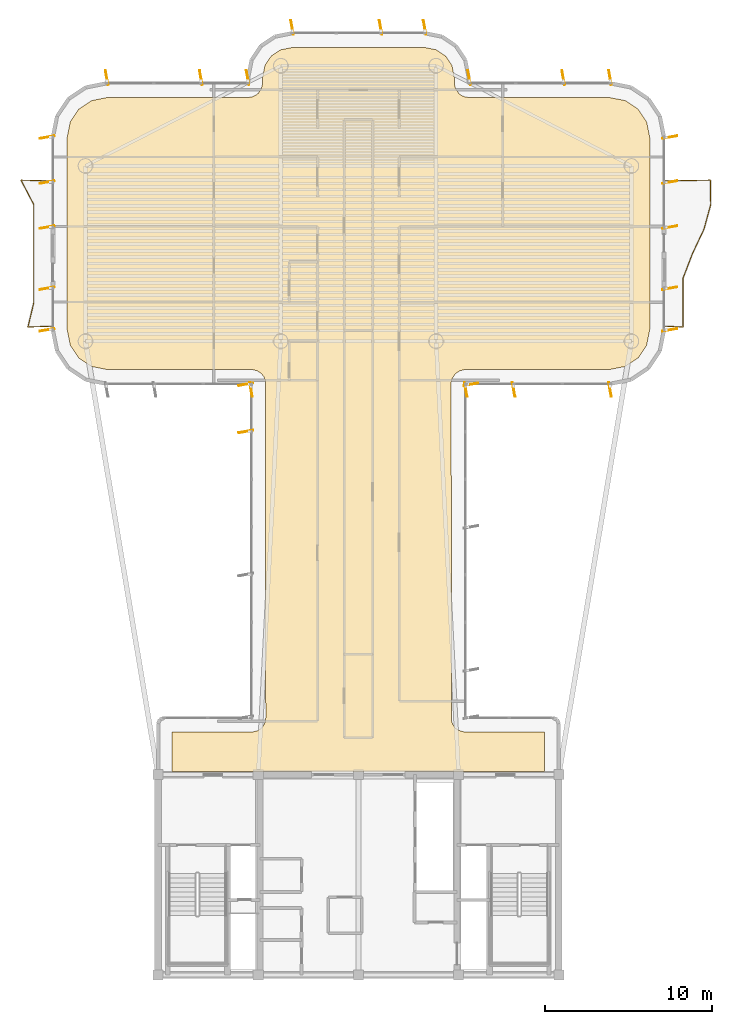
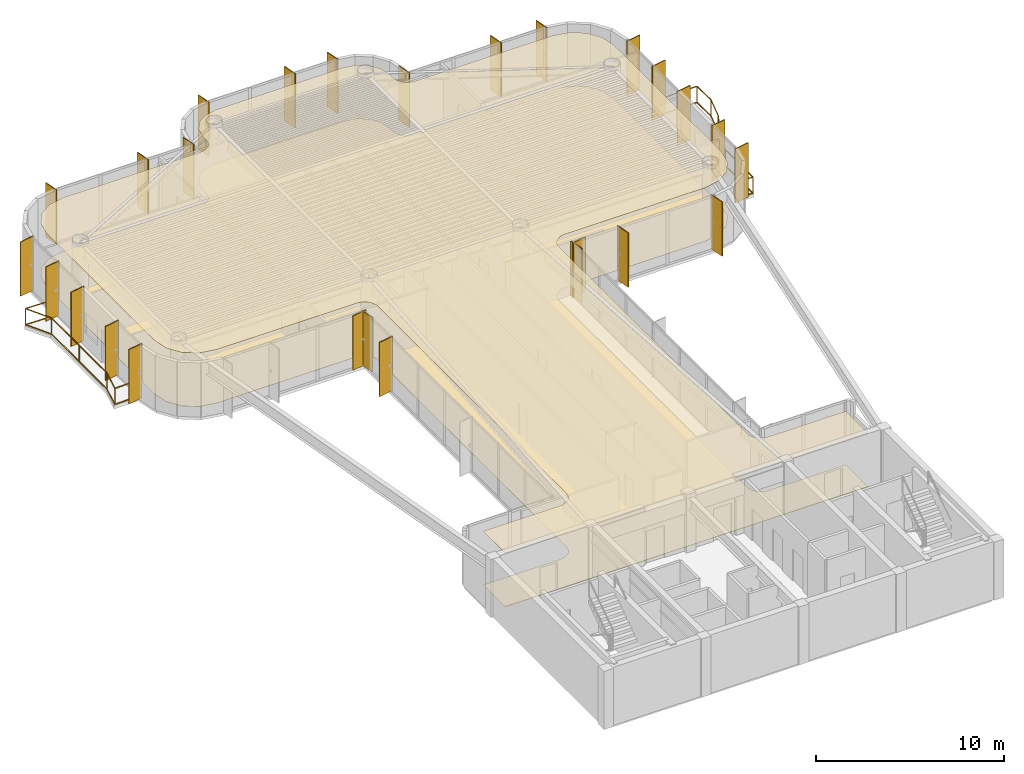
# One storey, part 15 of 15: 26 shading devices, 2 coverings, 2 railings.
"""IFC4 building model written with IfcOpenShell, lengths in metres."""

from ifc_helpers import new_model, si_unit, direction, frame, origin, origin_2d, place, context, subcontext, project, spatial, polyline, rectangle, outline, extrude, source, transform, mapped, material, layer, layer_set, material_profile, profile_set, type_object, element, save


model = new_model("IFC4")

# Units and contexts
model_context = context("Model", 3, precision=1e-05, world=origin(), true_north=direction((0.0, 1.0)))
body_context = subcontext(model_context, "Body", "Model", "MODEL_VIEW")
ifc_project = project(units=[si_unit("LENGTHUNIT", "METRE"), si_unit("AREAUNIT", "SQUARE_METRE"), si_unit("VOLUMEUNIT", "CUBIC_METRE"), si_unit("PLANEANGLEUNIT", "RADIAN"), si_unit("MASSUNIT", "GRAM", prefix="KILO")], contexts=[model_context])

# Site, building, storey
site_placement = place(None, origin())
site = spatial("IfcSite", under=ifc_project, at=site_placement, CompositionType="ELEMENT")
building_placement = place(site_placement, origin())
building = spatial("IfcBuilding", under=site, at=building_placement, Name="Brelvock Crest Care Tower", CompositionType="ELEMENT")
storey_placement = place(building_placement, frame((0.0, 0.0, 264.60009765625)))
storey = spatial("IfcBuildingStorey", under=building, at=storey_placement, Name="L67", CompositionType="ELEMENT", Elevation=264.60009765625)

# Coverings
ifc_material_1 = material(Name="Mineral Fibre Acoustic Ceiling Tile", Category="gypsum")
ifc_layer_1 = layer(ifc_material_1, 0.02490234375, Name="COV-CLG1")
ifc_layer_set_1 = layer_set([ifc_layer_1], Name="Mineral Fibre Acoustic Ceiling Tile")
covering_type_1 = type_object("IfcCoveringType", Name="COV-CLG1", PredefinedType="CEILING", material=ifc_layer_set_1)
covering_1_placement = place(storey_placement, frame((0.0, 0.0, 3.474853515625)))
element("IfcCovering", 1, at=covering_1_placement, inside=storey, type_object=covering_type_1, Name="L67 Acoustic Suspended Ceiling 1", PredefinedType="CEILING", context=body_context, shape_type="SweptSolid", body=[
    extrude(outline(polyline([(24.85009765625, 18.199951171875), (47.14990234375, 18.199951171875), (47.14990234375, 20.550048828125), (42.316650390625, 20.55419921875), (41.999267578125, 20.650390625), (41.799072265625, 20.799072265625), (41.650390625, 20.999267578125), (41.56640625, 21.234130859375), (41.55419921875, 41.4833984375), (41.61474609375, 41.725341796875), (41.799072265625, 42.0009765625), (42.07470703125, 42.185302734375), (42.316650390625, 42.245849609375), (51.016357421875, 42.25), (51.992919921875, 42.4443359375), (52.75, 42.9501953125), (53.255615234375, 43.70703125), (53.449951171875, 44.68359375), (53.449951171875, 56.1162109375), (53.255615234375, 57.093017578125), (52.75, 57.849853515625), (51.992919921875, 58.355712890625), (51.016357421875, 58.550048828125), (42.60009765625, 58.550048828125), (42.353271484375, 58.586669921875), (42.127685546875, 58.693359375), (41.9990234375, 58.799072265625), (41.814697265625, 59.07470703125), (41.754150390625, 59.316650390625), (41.75, 59.71630859375), (41.601318359375, 60.46337890625), (41.2255859375, 61.025634765625), (40.663330078125, 61.4013671875), (39.916259765625, 61.550048828125), (32.083740234375, 61.550048828125), (31.336669921875, 61.4013671875), (30.7744140625, 61.025634765625), (30.398681640625, 60.46337890625), (30.25, 59.71630859375), (30.245849609375, 59.316650390625), (30.185302734375, 59.07470703125), (30.0009765625, 58.799072265625), (29.872314453125, 58.693359375), (29.646728515625, 58.586669921875), (29.39990234375, 58.550048828125), (20.983642578125, 58.550048828125), (20.007080078125, 58.355712890625), (19.25, 57.849853515625), (18.744384765625, 57.093017578125), (18.550048828125, 56.1162109375), (18.550048828125, 44.68359375), (18.744384765625, 43.70703125), (19.25, 42.9501953125), (20.007080078125, 42.4443359375), (20.983642578125, 42.25), (29.683349609375, 42.245849609375), (29.92529296875, 42.185302734375), (30.200927734375, 42.0009765625), (30.349609375, 41.80078125), (30.43359375, 41.56591796875), (30.449951171875, 21.39990234375), (30.413330078125, 21.1533203125), (30.306640625, 20.927734375), (30.13916015625, 20.742919921875), (29.92529296875, 20.61474609375), (29.683349609375, 20.55419921875), (24.85009765625, 20.550048828125), (24.85009765625, 18.199951171875)])), origin(), (0.0, 0.0, 1.0), 0.025146484375),
])
ifc_material_2 = material(Name="Slip-Resistant Acoustic Vinyl Flooring", Category="finish")
ifc_layer_2 = layer(ifc_material_2, 0.014892578125, Name="COV-FLR1")
ifc_layer_set_2 = layer_set([ifc_layer_2], Name="Slip-Resistant Acoustic Vinyl Flooring")
covering_type_2 = type_object("IfcCoveringType", Name="COV-FLR1", PredefinedType="FLOORING", material=ifc_layer_set_2)
covering_2_placement = place(storey_placement, origin())
element("IfcCovering", 2, at=covering_2_placement, inside=storey, type_object=covering_type_2, Name="L67 Slip-Resistant Acoustic Flooring 1", PredefinedType="FLOORING", context=body_context, shape_type="SweptSolid", body=[
    extrude(outline(polyline([(24.85009765625, 18.199951171875), (47.14990234375, 18.199951171875), (47.14990234375, 20.550048828125), (42.316650390625, 20.55419921875), (41.999267578125, 20.650390625), (41.799072265625, 20.799072265625), (41.650390625, 20.999267578125), (41.56640625, 21.234130859375), (41.55419921875, 41.4833984375), (41.61474609375, 41.725341796875), (41.799072265625, 42.0009765625), (42.07470703125, 42.185302734375), (42.316650390625, 42.245849609375), (51.016357421875, 42.25), (51.992919921875, 42.4443359375), (52.75, 42.9501953125), (53.255615234375, 43.70703125), (53.449951171875, 44.68359375), (53.449951171875, 56.1162109375), (53.255615234375, 57.093017578125), (52.75, 57.849853515625), (51.992919921875, 58.355712890625), (51.016357421875, 58.550048828125), (42.60009765625, 58.550048828125), (42.353271484375, 58.586669921875), (42.127685546875, 58.693359375), (41.9990234375, 58.799072265625), (41.814697265625, 59.07470703125), (41.754150390625, 59.316650390625), (41.75, 59.71630859375), (41.601318359375, 60.46337890625), (41.2255859375, 61.025634765625), (40.663330078125, 61.4013671875), (39.916259765625, 61.550048828125), (32.083740234375, 61.550048828125), (31.336669921875, 61.4013671875), (30.7744140625, 61.025634765625), (30.398681640625, 60.46337890625), (30.25, 59.71630859375), (30.245849609375, 59.316650390625), (30.185302734375, 59.07470703125), (30.0009765625, 58.799072265625), (29.872314453125, 58.693359375), (29.646728515625, 58.586669921875), (29.39990234375, 58.550048828125), (20.983642578125, 58.550048828125), (20.007080078125, 58.355712890625), (19.25, 57.849853515625), (18.744384765625, 57.093017578125), (18.550048828125, 56.1162109375), (18.550048828125, 44.68359375), (18.744384765625, 43.70703125), (19.25, 42.9501953125), (20.007080078125, 42.4443359375), (20.983642578125, 42.25), (29.683349609375, 42.245849609375), (29.92529296875, 42.185302734375), (30.200927734375, 42.0009765625), (30.349609375, 41.80078125), (30.43359375, 41.56591796875), (30.449951171875, 21.39990234375), (30.413330078125, 21.1533203125), (30.306640625, 20.927734375), (30.13916015625, 20.742919921875), (29.92529296875, 20.61474609375), (29.683349609375, 20.55419921875), (24.85009765625, 20.550048828125), (24.85009765625, 18.199951171875)])), origin(), (0.0, 0.0, 1.0), 0.014892578125),
])

# Railings
ifc_material_3 = material(Name="Dark Glass Double Glazed Low-E", Category="glass")
ifc_layer_3 = layer(ifc_material_3, 0.06005859375, Name="RL-BAL1")
ifc_layer_set_3 = layer_set([ifc_layer_3], Name="Dark Glass Double Glazed Low-E")
railing_type = type_object("IfcRailingType", Name="RL-BAL1", PredefinedType="BALUSTRADE", material=ifc_layer_set_3)
railing_1_placement = place(storey_placement, frame((17.659912109375, 44.85009765625, 0.00390625)))
element("IfcRailing", 3, at=railing_1_placement, inside=storey, type_object=railing_type, Name="L67 Safety Balustrade WB-W", PredefinedType="BALUSTRADE", context=body_context, shape_type="SweptSolid", body=[
    extrude(rectangle(XDim=0.048095703125, YDim=0.048095703125, at=origin_2d()), frame((-0.001953125, 0.0, 1.09619140625), z_axis=(-0.999404799616, -0.034497050669, 0.0), x_axis=(0.034497050669, -0.999404799616, 0.0)), (0.0, 0.0, 1.0), 1.44677734375),
    extrude(rectangle(XDim=0.048095703125, YDim=0.048095703125, at=origin_2d()), frame((-0.001953125, 0.0, 0.054931640625), z_axis=(-0.999404799616, -0.034497050669, 0.0), x_axis=(0.034497050669, -0.999404799616, 0.0)), (0.0, 0.0, 1.0), 1.44677734375),
    extrude(rectangle(XDim=0.048095703125, YDim=0.048095703125, at=origin_2d()), frame((-1.449462890625, -0.048095703125, 1.09619140625), z_axis=(0.232196944837, 0.972668791937, 0.0), x_axis=(-0.972668791937, 0.232196944837, 0.0)), (0.0, 0.0, 1.0), 1.503662109375),
    extrude(rectangle(XDim=0.048095703125, YDim=0.048095703125, at=origin_2d()), frame((-1.449462890625, -0.048095703125, 0.054931640625), z_axis=(0.232196944837, 0.972668791937, 0.0), x_axis=(-0.972668791937, 0.232196944837, 0.0)), (0.0, 0.0, 1.0), 1.503662109375),
    extrude(rectangle(XDim=0.048095703125, YDim=0.048095703125, at=origin_2d()), frame((-1.099853515625, 1.41845703125, 1.09619140625), z_axis=(-0.000124843944, 0.999999992207, 0.0), x_axis=(-0.999999992207, -0.000124843944, 0.0)), (0.0, 0.0, 1.0), 5.86279296875),
    extrude(rectangle(XDim=0.048095703125, YDim=0.048095703125, at=origin_2d()), frame((-1.099853515625, 1.41845703125, 0.054931640625), z_axis=(-0.000124843944, 0.999999992207, 0.0), x_axis=(-0.999999992207, -0.000124843944, 0.0)), (0.0, 0.0, 1.0), 5.86279296875),
    extrude(rectangle(XDim=0.048095703125, YDim=0.048095703125, at=origin_2d()), frame((-1.1015625, 7.284912109375, 1.09619140625), z_axis=(-0.463191013929, 0.88625847506, 0.0), x_axis=(-0.88625847506, -0.463191013929, 0.0)), (0.0, 0.0, 1.0), 1.651123046875),
    extrude(rectangle(XDim=0.048095703125, YDim=0.048095703125, at=origin_2d()), frame((-1.1015625, 7.284912109375, 0.054931640625), z_axis=(-0.463191013929, 0.88625847506, 0.0), x_axis=(-0.88625847506, -0.463191013929, 0.0)), (0.0, 0.0, 1.0), 1.651123046875),
    extrude(rectangle(XDim=0.048095703125, YDim=0.048095703125, at=origin_2d()), frame((-1.865234375, 8.75, 1.09619140625), z_axis=(0.999640955712, -0.026794769341, 0.0), x_axis=(0.026794769341, 0.999640955712, 0.0)), (0.0, 0.0, 1.0), 1.86376953125),
    extrude(rectangle(XDim=0.048095703125, YDim=0.048095703125, at=origin_2d()), frame((-1.865234375, 8.75, 0.054931640625), z_axis=(0.999640955712, -0.026794769341, 0.0), x_axis=(0.026794769341, 0.999640955712, 0.0)), (0.0, 0.0, 1.0), 1.86376953125),
    extrude(rectangle(XDim=0.0419921875, YDim=0.0419921875, at=origin_2d()), origin(), (0.0, 0.0, 1.0), 1.070068359375),
    extrude(rectangle(XDim=0.0419921875, YDim=0.0419921875, at=origin_2d()), frame((-1.449951171875, -0.050048828125, 0.0)), (0.0, 0.0, 1.0), 1.070068359375),
    extrude(rectangle(XDim=0.0419921875, YDim=0.0419921875, at=origin_2d()), frame((-1.099853515625, 1.41650390625, 0.0)), (0.0, 0.0, 1.0), 1.070068359375),
    extrude(rectangle(XDim=0.0419921875, YDim=0.0419921875, at=origin_2d()), frame((-1.10009765625, 4.349853515625, 0.0)), (0.0, 0.0, 1.0), 1.070068359375),
    extrude(rectangle(XDim=0.0419921875, YDim=0.0419921875, at=origin_2d()), frame((-1.1005859375, 7.283203125, 0.0)), (0.0, 0.0, 1.0), 1.070068359375),
    extrude(rectangle(XDim=0.0419921875, YDim=0.0419921875, at=origin_2d()), frame((-1.8671875, 8.75, 0.0)), (0.0, 0.0, 1.0), 1.070068359375),
    extrude(rectangle(XDim=0.0419921875, YDim=0.0419921875, at=origin_2d()), frame((0.0, 8.699951171875, 0.0)), (0.0, 0.0, 1.0), 1.070068359375),
])
railing_2_placement = place(storey_placement, frame((54.340087890625, 44.85009765625, 0.00390625)))
element("IfcRailing", 4, at=railing_2_placement, inside=storey, type_object=railing_type, Name="L67 Safety Balustrade WB-E", PredefinedType="BALUSTRADE", context=body_context, shape_type="SweptSolid", body=[
    extrude(rectangle(XDim=0.048095703125, YDim=0.048095703125, at=origin_2d()), frame((0.001953125, 0.0, 1.09619140625), z_axis=(0.998966252902, -0.045457953795, 0.0), x_axis=(0.045457953795, 0.998966252902, 0.0)), (0.0, 0.0, 1.0), 1.096923828125),
    extrude(rectangle(XDim=0.048095703125, YDim=0.048095703125, at=origin_2d()), frame((0.001953125, 0.0, 0.054931640625), z_axis=(0.998966252902, -0.045457953795, 0.0), x_axis=(0.045457953795, 0.998966252902, 0.0)), (0.0, 0.0, 1.0), 1.096923828125),
    extrude(rectangle(XDim=0.048095703125, YDim=0.048095703125, at=origin_2d()), frame((1.099853515625, -0.048095703125, 1.09619140625), z_axis=(0.0, 1.0, 0.0), x_axis=(-1.0, 0.0, 0.0)), (0.0, 0.0, 1.0), 2.929443359375),
    extrude(rectangle(XDim=0.048095703125, YDim=0.048095703125, at=origin_2d()), frame((1.099853515625, -0.048095703125, 0.054931640625), z_axis=(0.0, 1.0, 0.0), x_axis=(-1.0, 0.0, 0.0)), (0.0, 0.0, 1.0), 2.929443359375),
    extrude(rectangle(XDim=0.048095703125, YDim=0.048095703125, at=origin_2d()), frame((1.1005859375, 2.88525390625, 1.09619140625), z_axis=(0.357436663677, 0.933937380909, 0.0), x_axis=(-0.933937380909, 0.357436663677, 0.0)), (0.0, 0.0, 1.0), 1.56640625),
    extrude(rectangle(XDim=0.048095703125, YDim=0.048095703125, at=origin_2d()), frame((1.1005859375, 2.88525390625, 0.054931640625), z_axis=(0.357436663677, 0.933937380909, 0.0), x_axis=(-0.933937380909, 0.357436663677, 0.0)), (0.0, 0.0, 1.0), 1.56640625),
    extrude(rectangle(XDim=0.048095703125, YDim=0.048095703125, at=origin_2d()), frame((1.661865234375, 4.3515625, 1.09619140625), z_axis=(0.426746449171, 0.904371310978, 0.0), x_axis=(-0.904371310978, 0.426746449171, 0.0)), (0.0, 0.0, 1.0), 1.617919921875),
    extrude(rectangle(XDim=0.048095703125, YDim=0.048095703125, at=origin_2d()), frame((1.661865234375, 4.3515625, 0.054931640625), z_axis=(0.426746449171, 0.904371310978, 0.0), x_axis=(-0.904371310978, 0.426746449171, 0.0)), (0.0, 0.0, 1.0), 1.617919921875),
    extrude(rectangle(XDim=0.048095703125, YDim=0.048095703125, at=origin_2d()), frame((2.353759765625, 5.818603515625, 1.09619140625), z_axis=(0.263525028953, 0.964652558756, 0.0), x_axis=(-0.964652558756, 0.263525028953, 0.0)), (0.0, 0.0, 1.0), 1.516357421875),
    extrude(rectangle(XDim=0.048095703125, YDim=0.048095703125, at=origin_2d()), frame((2.353759765625, 5.818603515625, 0.054931640625), z_axis=(0.263525028953, 0.964652558756, 0.0), x_axis=(-0.964652558756, 0.263525028953, 0.0)), (0.0, 0.0, 1.0), 1.516357421875),
    extrude(rectangle(XDim=0.048095703125, YDim=0.048095703125, at=origin_2d()), frame((2.75390625, 7.28515625, 1.09619140625), z_axis=(-0.013647197663, 0.999906872662, 0.0), x_axis=(-0.999906872662, -0.013647197663, 0.0)), (0.0, 0.0, 1.0), 1.462890625),
    extrude(rectangle(XDim=0.048095703125, YDim=0.048095703125, at=origin_2d()), frame((2.75390625, 7.28515625, 0.054931640625), z_axis=(-0.013647197663, 0.999906872662, 0.0), x_axis=(-0.999906872662, -0.013647197663, 0.0)), (0.0, 0.0, 1.0), 1.462890625),
    extrude(rectangle(XDim=0.048095703125, YDim=0.048095703125, at=origin_2d()), frame((2.73193359375, 8.75, 1.09619140625), z_axis=(-0.999832471903, -0.018303773597, 0.0), x_axis=(0.018303773597, -0.999832471903, 0.0)), (0.0, 0.0, 1.0), 2.730224609375),
    extrude(rectangle(XDim=0.048095703125, YDim=0.048095703125, at=origin_2d()), frame((2.73193359375, 8.75, 0.054931640625), z_axis=(-0.999832471903, -0.018303773597, 0.0), x_axis=(0.018303773597, -0.999832471903, 0.0)), (0.0, 0.0, 1.0), 2.730224609375),
    extrude(rectangle(XDim=0.0419921875, YDim=0.0419921875, at=origin_2d()), origin(), (0.0, 0.0, 1.0), 1.070068359375),
    extrude(rectangle(XDim=0.0419921875, YDim=0.0419921875, at=origin_2d()), frame((1.099853515625, -0.050048828125, 0.0)), (0.0, 0.0, 1.0), 1.070068359375),
    extrude(rectangle(XDim=0.0419921875, YDim=0.0419921875, at=origin_2d()), frame((1.099853515625, 2.88330078125, 0.0)), (0.0, 0.0, 1.0), 1.070068359375),
    extrude(rectangle(XDim=0.0419921875, YDim=0.0419921875, at=origin_2d()), frame((1.6611328125, 4.349853515625, 0.0)), (0.0, 0.0, 1.0), 1.070068359375),
    extrude(rectangle(XDim=0.0419921875, YDim=0.0419921875, at=origin_2d()), frame((2.353271484375, 5.816650390625, 0.0)), (0.0, 0.0, 1.0), 1.070068359375),
    extrude(rectangle(XDim=0.0419921875, YDim=0.0419921875, at=origin_2d()), frame((2.75390625, 7.283203125, 0.0)), (0.0, 0.0, 1.0), 1.070068359375),
    extrude(rectangle(XDim=0.0419921875, YDim=0.0419921875, at=origin_2d()), frame((2.73388671875, 8.75, 0.0)), (0.0, 0.0, 1.0), 1.070068359375),
    extrude(rectangle(XDim=0.0419921875, YDim=0.0419921875, at=origin_2d()), frame((0.0, 8.699951171875, 0.0)), (0.0, 0.0, 1.0), 1.070068359375),
])

# Shading devices
ifc_material_4 = material(Name="Aluminium 6063-T6", Category="aluminium")
ifc_material_profile = material_profile(ifc_material_4, rectangle(XDim=0.054931640625, YDim=0.89990234375, at=origin_2d()), Name="FIN55x900")
ifc_profile_set = profile_set([ifc_material_profile], Name="Aluminium 6063-T6")
shading_device_type = type_object("IfcShadingDeviceType", Name="SHD-FIN1", PredefinedType="USERDEFINED", material=ifc_profile_set)
shared_shape = source(origin(), body_context, "Body", "SweptSolid", [
    extrude(rectangle(XDim=0.054931640625, YDim=0.89990234375, at=origin_2d()), origin(), (0.0, 0.0, 1.0), 3.52978515625),
])
for number, where, z_axis, x_axis, name in (
    (5, (29.260009765625, 38.54296875, 0.0), (0.0, 0.0, 1.0), (-0.173648177667, 0.984807753012, 0.0), "L67 Vertical Sunshade Fin E11-07"),
    (6, (29.260009765625, 41.3701171875, 0.0), (0.0, 0.0, 1.0), (-0.173648177667, 0.984807753012, 0.0), "L67 Vertical Sunshade Fin E11-08"),
    (7, (29.570068359375, 41.06005859375, 0.0), (0.0, 0.0, 1.0), (-0.984807753012, -0.173648177667, 0.0), "L67 Vertical Sunshade Fin E12-01"),
    (8, (17.360107421875, 44.6298828125, 0.0), (0.0, 0.0, 1.0), (-0.173648177667, 0.984807753012, 0.0), "L67 Vertical Sunshade Fin E17A-01"),
    (9, (17.360107421875, 47.1201171875, 0.0), (0.0, 0.0, 1.0), (-0.173648177667, 0.984807753012, 0.0), "L67 Vertical Sunshade Fin E17A-02"),
    (10, (17.360107421875, 50.780029296875, 0.0), (0.0, 0.0, 1.0), (-0.173648177667, 0.984807753012, 0.0), "L67 Vertical Sunshade Fin E17B-01"),
    (11, (17.360107421875, 53.47509765625, 0.0), (0.0, 0.0, 1.0), (-0.173648177667, 0.984807753012, 0.0), "L67 Vertical Sunshade Fin E17B-02"),
    (12, (17.360107421875, 56.169921875, 0.0), (0.0, 0.0, 1.0), (-0.173648177667, 0.984807753012, 0.0), "L67 Vertical Sunshade Fin E17B-03"),
    (13, (20.929931640625, 59.739990234375, 0.0), (0.0, 0.0, 1.0), (0.984807753012, 0.173648177667, 0.0), "L67 Vertical Sunshade Fin E22-01"),
    (14, (26.566650390625, 59.739990234375, 0.0), (0.0, 0.0, 1.0), (0.984807753012, 0.173648177667, 0.0), "L67 Vertical Sunshade Fin E22-03"),
    (15, (29.3701171875, 59.739990234375, 0.0), (0.0, 0.0, 1.0), (0.984807753012, 0.173648177667, 0.0), "L67 Vertical Sunshade Fin E22-04"),
    (16, (32.030029296875, 62.739990234375, 0.0), (0.0, 0.0, 1.0), (0.984807753012, 0.173648177667, 0.0), "L67 Vertical Sunshade Fin E28-01"),
    (17, (37.333251953125, 62.739990234375, 0.0), (0.0, 0.0, 1.0), (0.984807753012, 0.173648177667, 0.0), "L67 Vertical Sunshade Fin E28-03"),
    (18, (39.969970703125, 62.739990234375, 0.0), (0.0, 0.0, 1.0), (0.984807753012, 0.173648177667, 0.0), "L67 Vertical Sunshade Fin E28-04"),
    (19, (42.6298828125, 59.739990234375, 0.0), (0.0, 0.0, 1.0), (0.984807753012, 0.173648177667, 0.0), "L67 Vertical Sunshade Fin E34-01"),
    (20, (48.2666015625, 59.739990234375, 0.0), (0.0, 0.0, 1.0), (0.984807753012, 0.173648177667, 0.0), "L67 Vertical Sunshade Fin E34-03"),
    (21, (51.070068359375, 59.739990234375, 0.0), (0.0, 0.0, 1.0), (0.984807753012, 0.173648177667, 0.0), "L67 Vertical Sunshade Fin E34-04"),
    (22, (54.639892578125, 56.169921875, 0.0), (0.0, 0.0, 1.0), (0.173648177667, -0.984807753012, 0.0), "L67 Vertical Sunshade Fin E39A-01"),
    (23, (54.639892578125, 53.47509765625, 0.0), (0.0, 0.0, 1.0), (0.173648177667, -0.984807753012, 0.0), "L67 Vertical Sunshade Fin E39A-02"),
    (24, (54.639892578125, 50.780029296875, 0.0), (0.0, 0.0, 1.0), (0.173648177667, -0.984807753012, 0.0), "L67 Vertical Sunshade Fin E39A-03"),
    (25, (54.639892578125, 47.1201171875, 0.0), (0.0, 0.0, 1.0), (0.173648177667, -0.984807753012, 0.0), "L67 Vertical Sunshade Fin E39B-01"),
    (26, (54.639892578125, 44.6298828125, 0.0), (0.0, 0.0, 1.0), (0.173648177667, -0.984807753012, 0.0), "L67 Vertical Sunshade Fin E39B-02"),
    (27, (51.070068359375, 41.06005859375, 0.0), (0.0, 0.0, 1.0), (-0.984807753012, -0.173648177667, 0.0), "L67 Vertical Sunshade Fin E44-01"),
    (28, (45.300048828125, 41.06005859375, 0.0), (0.0, 0.0, 1.0), (-0.984807753012, -0.173648177667, 0.0), "L67 Vertical Sunshade Fin E44-03"),
    (29, (42.429931640625, 41.06005859375, 0.0), (0.0, 0.0, 1.0), (-0.984807753012, -0.173648177667, 0.0), "L67 Vertical Sunshade Fin E44-04"),
    (30, (42.739990234375, 41.3701171875, 0.0), (0.0, 0.0, 1.0), (0.173648177667, -0.984807753012, 0.0), "L67 Vertical Sunshade Fin E45-01"),
):
    element("IfcShadingDevice", number, at=place(storey_placement, frame(where, z_axis=z_axis, x_axis=x_axis)), inside=storey, type_object=shading_device_type, Name=name, ObjectType="FIN", PredefinedType="USERDEFINED", context=body_context, shape_type="MappedRepresentation", body=[
        mapped(shared_shape, transform((0.0, 0.0, 0.0), x_axis=(1.0, 0.0, 0.0), y_axis=(0.0, 1.0, 0.0), z_axis=(0.0, 0.0, 1.0), scale=1.0)),
    ])

save(model, "model.ifc")
